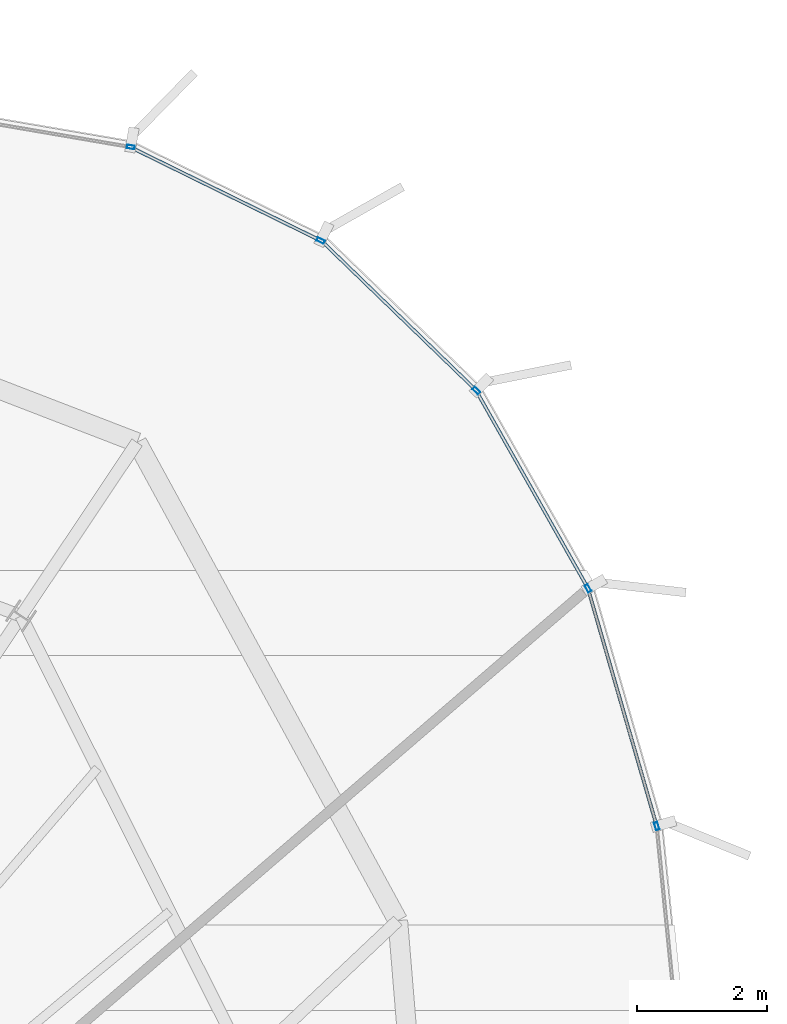
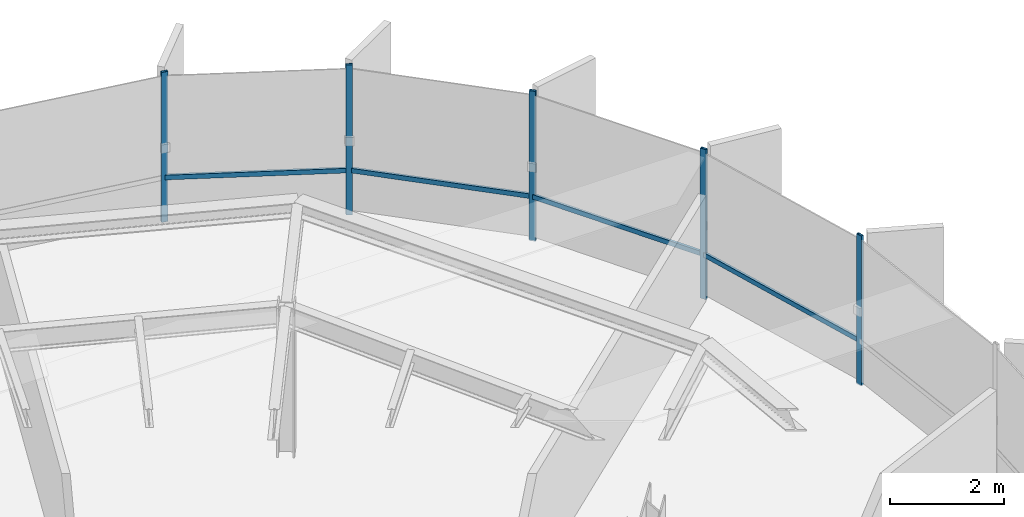
# One storey, part 25 of 33: 9 members, 2 elements without a shape of their own.
"""IFC4 building model written with IfcOpenShell, lengths in metres."""

import ifcopenshell
import ifcopenshell.guid

model = None  # the IFC model being written
_history = None  # IfcOwnerHistory: only IFC2X3 demands one
_inside = {}  # id of a spatial element -> (the spatial element, [elements in it])
_under = {}  # id of a project, library or spatial element -> (it, [spatial elements below it])
_declared = {}  # id of a project -> (the project, [libraries it declares])
_typed = {}  # id of a type object -> (the type object, [elements of that type])
_made_of = {}  # id of a material, layer set ... -> (it, [elements and type objects made of it])


def new_model(schema):
    """Start an empty IFC model of exactly this schema.

    Asked for "IFC4X3", IfcOpenShell would pick the latest addendum, in which some entities
    have other attributes; the version numbers below select the first issue.
    IFC2X3 requires an IfcOwnerHistory on every rooted entity: one is made here for all.
    """
    global model, _history
    if schema == "IFC4X3":
        model = ifcopenshell.file(schema_version=(4, 3, 0, 0))
    else:
        model = ifcopenshell.file(schema=schema)
    _inside.clear()
    _under.clear()
    _declared.clear()
    _typed.clear()
    _made_of.clear()
    _history = None
    if model.schema == "IFC2X3":
        org = make("IfcOrganization", Name="unknown")
        user = make(
            "IfcPersonAndOrganization",
            ThePerson=make("IfcPerson", FamilyName="unknown"),
            TheOrganization=org,
        )
        app = make(
            "IfcApplication",
            ApplicationDeveloper=org,
            Version="unknown",
            ApplicationFullName="unknown",
            ApplicationIdentifier="unknown",
        )
        _history = make(
            "IfcOwnerHistory",
            OwningUser=user,
            OwningApplication=app,
            ChangeAction="ADDED",
            CreationDate=0,
        )
    return model


def make(cls, **values):
    """One entity of the class cls with the attributes given. An attribute that is None is left unset."""
    return model.create_entity(
        cls, **{name: value for name, value in values.items() if value is not None}
    )


def rooted(cls, **values):
    """An entity with a GlobalId (a new one), such as an element, a storey or a relation."""
    return make(cls, GlobalId=ifcopenshell.guid.new(), OwnerHistory=_history, **values)


def si_unit(unit_type, name, prefix=None):
    """IfcSIUnit, for example si_unit("LENGTHUNIT", "METRE", prefix="MILLI")."""
    return make("IfcSIUnit", UnitType=unit_type, Prefix=prefix, Name=name)


def assignment(units):
    """IfcUnitAssignment: the units of a project."""
    return None if units is None else make("IfcUnitAssignment", Units=units)


def point(xyz):
    """IfcCartesianPoint."""
    return None if xyz is None else make("IfcCartesianPoint", Coordinates=xyz)


def direction(xyz):
    """IfcDirection."""
    return None if xyz is None else make("IfcDirection", DirectionRatios=xyz)


def frame(location, z_axis=None, x_axis=None):
    """IfcAxis2Placement3D, a coordinate frame: its origin and axes. An axis left out is left unset."""
    return make(
        "IfcAxis2Placement3D",
        Location=point(location),
        Axis=direction(z_axis),
        RefDirection=direction(x_axis),
    )


def frame_2d(location, x_axis=None):
    """IfcAxis2Placement2D, a coordinate frame in the plane: its origin and x axis."""
    return make(
        "IfcAxis2Placement2D", Location=point(location), RefDirection=direction(x_axis)
    )


def origin():
    """The frame at (0, 0, 0) with its axes left unset."""
    return frame((0.0, 0.0, 0.0))


def origin_2d():
    """The frame at (0, 0) in the plane with its x axis left unset."""
    return frame_2d((0.0, 0.0))


def place(relative_to, where):
    """IfcLocalPlacement: puts the frame where relative to a parent placement (None: the world)."""
    return make(
        "IfcLocalPlacement", PlacementRelTo=relative_to, RelativePlacement=where
    )


def context(
    kind, dimensions, precision=None, world=None, true_north=None, identifier=None
):
    """IfcGeometricRepresentationContext, for example the 3D "Model" context."""
    return make(
        "IfcGeometricRepresentationContext",
        ContextIdentifier=identifier,
        ContextType=kind,
        CoordinateSpaceDimension=dimensions,
        Precision=precision,
        WorldCoordinateSystem=world,
        TrueNorth=true_north,
    )


def subcontext(parent, identifier, kind, view, scale=None):
    """IfcGeometricRepresentationSubContext, for example "Body" below "Model"."""
    return make(
        "IfcGeometricRepresentationSubContext",
        ContextIdentifier=identifier,
        ContextType=kind,
        ParentContext=parent,
        TargetScale=scale,
        TargetView=view,
    )


def project(units=None, contexts=None):
    """IfcProject with its units and contexts."""
    return rooted(
        "IfcProject",
        Name="project",
        RepresentationContexts=contexts,
        UnitsInContext=assignment(units),
    )


def spatial(cls, under=None, at=None, **own):
    """A site, building, storey or space (cls), placed at a placement, below another one or the project."""
    s = rooted(cls, ObjectPlacement=at, **own)
    if under is not None:
        _under.setdefault(under.id(), (under, []))[1].append(s)
    return s


def profile(cls, at=None, kind="AREA", **sizes):
    """A parametric profile (cls). Its sizes go by their IFC names, for example OverallWidth=200.0."""
    return make(cls, ProfileType=kind, Position=at, **sizes)


def hollow_rectangle(**sizes):
    """IfcRectangleHollowProfileDef."""
    return profile("IfcRectangleHollowProfileDef", **sizes)


def extrude(swept, where, along, depth):
    """IfcExtrudedAreaSolid: the profile swept, set in the frame where, extruded along a direction by depth."""
    return make(
        "IfcExtrudedAreaSolid",
        SweptArea=swept,
        Position=where,
        ExtrudedDirection=direction(along),
        Depth=depth,
    )


def shape(context_of_items, identifier, shape_type, items):
    """IfcShapeRepresentation: the items that make up one representation, for example the "Body"."""
    return make(
        "IfcShapeRepresentation",
        ContextOfItems=context_of_items,
        RepresentationIdentifier=identifier,
        RepresentationType=shape_type,
        Items=items,
    )


def source(mapping_origin, context_of_items, identifier, shape_type, items):
    """IfcRepresentationMap: a shape defined once, which mapped items show again and again."""
    return make(
        "IfcRepresentationMap",
        MappingOrigin=mapping_origin,
        MappedRepresentation=shape(context_of_items, identifier, shape_type, items),
    )


def transform(
    local_origin,
    x_axis=None,
    y_axis=None,
    z_axis=None,
    scale=None,
    scale2=None,
    scale3=None,
    uniform=True,
):
    """IfcCartesianTransformationOperator3D, or its non-uniform kind. x_axis, y_axis, z_axis: its Axis1, 2, 3."""
    if uniform:
        return make(
            "IfcCartesianTransformationOperator3D",
            Axis1=direction(x_axis),
            Axis2=direction(y_axis),
            LocalOrigin=point(local_origin),
            Scale=scale,
            Axis3=direction(z_axis),
        )
    return make(
        "IfcCartesianTransformationOperator3DnonUniform",
        Axis1=direction(x_axis),
        Axis2=direction(y_axis),
        LocalOrigin=point(local_origin),
        Scale=scale,
        Axis3=direction(z_axis),
        Scale2=scale2,
        Scale3=scale3,
    )


def mapped(mapping_source, mapping_target):
    """IfcMappedItem: shows the shape of a source again, moved by a transform."""
    return make(
        "IfcMappedItem", MappingSource=mapping_source, MappingTarget=mapping_target
    )


def material(Name=None, Category=None):
    """IfcMaterial."""
    return make("IfcMaterial", Name=Name, Category=Category)


def layer(
    of_material, thickness, ventilated=None, Name=None, Category=None, Priority=None
):
    """IfcMaterialLayer: one layer of a wall or slab, of a material (None: an air gap)."""
    return make(
        "IfcMaterialLayer",
        Material=of_material,
        LayerThickness=thickness,
        IsVentilated=ventilated,
        Name=Name,
        Category=Category,
        Priority=Priority,
    )


def layer_set(layers, Name=None):
    """IfcMaterialLayerSet."""
    return make("IfcMaterialLayerSet", MaterialLayers=layers, LayerSetName=Name)


def material_profile(
    of_material, cross_section, Name=None, Category=None, Priority=None
):
    """IfcMaterialProfile: a cross section and its material."""
    return make(
        "IfcMaterialProfile",
        Name=Name,
        Material=of_material,
        Profile=cross_section,
        Priority=Priority,
        Category=Category,
    )


def profile_set(profiles, Name=None, composite=None):
    """IfcMaterialProfileSet."""
    return make(
        "IfcMaterialProfileSet",
        Name=Name,
        MaterialProfiles=profiles,
        CompositeProfile=composite,
    )


def made_of(thing, what):
    """Note that an element or type object is made of a material, layer set ...; save() writes the relation."""
    if what is not None:
        _made_of.setdefault(what.id(), (what, []))[1].append(thing)
    return thing


def type_object(cls, material=None, **own):
    """A type object (cls), such as IfcWallType, which elements share."""
    return made_of(rooted(cls, **own), material)


def element(
    cls,
    number,
    at=None,
    inside=None,
    cuts=None,
    type_object=None,
    material=None,
    context=None,
    identifier="Body",
    shape_type=None,
    held_by="IfcProductDefinitionShape",
    body=None,
    shapes=None,
    **own,
):
    """One element of the class cls, such as IfcWall. Its Tag is "e" and its number.

    at: its placement. inside: the storey or other place that contains it. cuts: it is an
    opening in that element (IfcRelVoidsElement). A single representation is given by context,
    identifier, shape_type and body (its items); several are given by shapes. held_by: the class
    of the entity that holds the representations. save() writes the other relations.
    """
    e = rooted(cls, Tag="e%d" % number, ObjectPlacement=at, **own)
    if body is not None:
        shapes = [shape(context, identifier, shape_type, body)]
    if shapes is not None:
        e.Representation = make(held_by, Representations=shapes)
    if inside is not None:
        _inside.setdefault(inside.id(), (inside, []))[1].append(e)
    if cuts is not None:
        rooted(
            "IfcRelVoidsElement", RelatingBuildingElement=cuts, RelatedOpeningElement=e
        )
    if type_object is not None:
        _typed.setdefault(type_object.id(), (type_object, []))[1].append(e)
    return made_of(e, material)


def aggregate(whole, parts):
    """IfcRelAggregates: a whole, such as a stair, and the parts it consists of."""
    return rooted("IfcRelAggregates", RelatingObject=whole, RelatedObjects=parts)


def save(model, path):
    """Write the relations noted so far, then the file.

    IfcRelAggregates (storeys below a building ...), IfcRelContainedInSpatialStructure (elements
    in a storey), IfcRelDefinesByType, IfcRelAssociatesMaterial and IfcRelDeclares: one each for
    every whole, place, type object, material and project.
    """
    for whole, parts in _under.values():
        aggregate(whole, parts)
    for where, things in _inside.values():
        rooted(
            "IfcRelContainedInSpatialStructure",
            RelatedElements=things,
            RelatingStructure=where,
        )
    for kind, things in _typed.values():
        rooted("IfcRelDefinesByType", RelatedObjects=things, RelatingType=kind)
    for what, things in _made_of.values():
        rooted("IfcRelAssociatesMaterial", RelatedObjects=things, RelatingMaterial=what)
    for by, libraries in _declared.values():
        rooted("IfcRelDeclares", RelatingContext=by, RelatedDefinitions=libraries)
    model.write(path)


model = new_model("IFC4")

# Units and contexts
model_context = context("Model", 3, precision=1e-05, world=origin(), true_north=direction((0.0, 1.0)))
body_context = subcontext(model_context, "Body", "Model", "MODEL_VIEW")
ifc_project = project(units=[si_unit("LENGTHUNIT", "METRE"), si_unit("AREAUNIT", "SQUARE_METRE"), si_unit("VOLUMEUNIT", "CUBIC_METRE"), si_unit("PLANEANGLEUNIT", "RADIAN"), si_unit("MASSUNIT", "GRAM", prefix="KILO"), si_unit("THERMODYNAMICTEMPERATUREUNIT", "KELVIN")], contexts=[model_context])

# Site, building, storey
site_placement = place(None, origin())
site = spatial("IfcSite", under=ifc_project, at=site_placement, CompositionType="ELEMENT")
building_placement = place(site_placement, origin())
building = spatial("IfcBuilding", under=site, at=building_placement, Name="Kethvar Cultural Tower", CompositionType="ELEMENT")
storey_placement = place(building_placement, frame((0.0, 0.0, 256.0)))
storey = spatial("IfcBuildingStorey", under=building, at=storey_placement, Name="L67", CompositionType="ELEMENT", Elevation=256.0)

# Curtain wall, members
ifc_material = material(Name="Aluminium 6063-T6", Category="aluminium")
ifc_layer = layer(ifc_material, 0.179931640625, Name="Aluminium 6063-T6", Category="aluminium")
ifc_layer_set = layer_set([ifc_layer], Name="Aluminium 6063-T6 (180 mm)")
curtain_wall_type = type_object("IfcCurtainWallType", Name="CW-SYS-05-Z56", PredefinedType="NOTDEFINED", material=ifc_layer_set)
curtain_wall_1_placement = place(storey_placement, origin())
curtain_wall_1 = element("IfcCurtainWall", 1, at=curtain_wall_1_placement, inside=storey, type_object=curtain_wall_type, Name="L67 Curtain Wall Run 01", PredefinedType="NOTDEFINED")
ifc_material_profile_1 = material_profile(ifc_material, hollow_rectangle(XDim=0.054931640625, YDim=0.1201171875, WallThickness=0.00390625, at=origin_2d()), Name="Aluminium 6063-T6 — RHS120x55x4")
ifc_profile_set_1 = profile_set([ifc_material_profile_1], Name="Aluminium 6063-T6 — RHS120x55x4")
member_type_1 = type_object("IfcMemberType", Name="CW-SYS-05-Z56-MUL", PredefinedType="MULLION", material=ifc_profile_set_1)
shared_shape_1 = source(origin(), body_context, "Body", "SweptSolid", [
    extrude(hollow_rectangle(XDim=0.054931640625, YDim=0.1201171875, WallThickness=0.00390625, at=origin_2d()), origin(), (0.0, 0.0, 1.0), 3.2099609375),
])
member_1_placement = place(storey_placement, frame((62.469970703125, 50.130615234375, 0.0), z_axis=(0.0, 0.0, 1.0), x_axis=(-0.440942001619, -0.897535598853, 0.0)))
member_1 = element("IfcMember", 2, at=member_1_placement, type_object=member_type_1, Name="CW-L67-R01 Mullion 1", PredefinedType="MULLION", context=body_context, shape_type="MappedRepresentation", body=[
    mapped(shared_shape_1, transform((0.0, 0.0, 0.0), scale=1.0)),
])
member_2_placement = place(storey_placement, frame((59.556640625, 51.56640625, 0.0), z_axis=(0.0, 0.0, 1.0), x_axis=(-0.168764633328, -0.985656379545, 0.0)))
member_2 = element("IfcMember", 3, at=member_2_placement, type_object=member_type_1, Name="CW-L67-R01 Mullion 2", PredefinedType="MULLION", context=body_context, shape_type="MappedRepresentation", body=[
    mapped(shared_shape_1, transform((0.0, 0.0, 0.0), scale=1.0)),
])

curtain_wall_2_placement = place(storey_placement, origin())
curtain_wall_2 = element("IfcCurtainWall", 4, at=curtain_wall_2_placement, inside=storey, type_object=curtain_wall_type, Name="L67 Curtain Wall Run 06", PredefinedType="NOTDEFINED")
member_3_placement = place(storey_placement, frame((67.623046875, 41.15283203125, 0.0), z_axis=(0.0, 0.0, 1.0), x_axis=(-0.960502795696, -0.278270335214, 0.0)))
member_3 = element("IfcMember", 5, at=member_3_placement, type_object=member_type_1, Name="CW-L67-R06 Mullion 4", PredefinedType="MULLION", context=body_context, shape_type="MappedRepresentation", body=[
    mapped(shared_shape_1, transform((0.0, 0.0, 0.0), scale=1.0)),
])
member_4_placement = place(storey_placement, frame((66.5703125, 44.797119140625, 0.0), z_axis=(0.0, 0.0, 1.0), x_axis=(-0.870235348185, -0.492636213417, 0.0)))
member_4 = element("IfcMember", 6, at=member_4_placement, type_object=member_type_1, Name="CW-L67-R06 Mullion 5", PredefinedType="MULLION", context=body_context, shape_type="MappedRepresentation", body=[
    mapped(shared_shape_1, transform((0.0, 0.0, 0.0), scale=1.0)),
])
member_5_placement = place(storey_placement, frame((64.85791015625, 47.830322265625, 0.0), z_axis=(0.0, 0.0, 1.0), x_axis=(-0.695110207836, -0.718903191649, 0.0)))
member_5 = element("IfcMember", 7, at=member_5_placement, type_object=member_type_1, Name="CW-L67-R06 Mullion 6", PredefinedType="MULLION", context=body_context, shape_type="MappedRepresentation", body=[
    mapped(shared_shape_1, transform((0.0, 0.0, 0.0), scale=1.0)),
])

# Member
ifc_material_profile_2 = material_profile(ifc_material, hollow_rectangle(XDim=0.050048828125, YDim=0.10009765625, WallThickness=0.00390625, at=origin_2d()), Name="Aluminium 6063-T6 — RHS100x50x4")
ifc_profile_set_2 = profile_set([ifc_material_profile_2], Name="Aluminium 6063-T6 — RHS100x50x4")
member_type_2 = type_object("IfcMemberType", Name="CW-SYS-05-Z56-TRN", PredefinedType="USERDEFINED", material=ifc_profile_set_2)
shared_shape_2 = source(origin(), body_context, "Body", "SweptSolid", [
    extrude(hollow_rectangle(XDim=0.050048828125, YDim=0.10009765625, WallThickness=0.00390625, at=origin_2d()), origin(), (0.0, 0.0, 1.0), 3.23291015625),
])
member_6_placement = place(storey_placement, frame((62.466552734375, 50.13232421875, 0.949951171875), z_axis=(-0.897531780333, 0.440949774116, 0.0), x_axis=(-0.440949774116, -0.897531780333, 0.0)))
member_6 = element("IfcMember", 8, at=member_6_placement, type_object=member_type_2, Name="CW-L67-R01 Transom 1", ObjectType="TRANSOM", PredefinedType="USERDEFINED", context=body_context, shape_type="MappedRepresentation", body=[
    mapped(shared_shape_2, transform((0.0, 0.0, 0.0), scale=1.0)),
])

aggregate(curtain_wall_1, [member_1, member_2, member_6])

member_7_placement = place(storey_placement, frame((64.829345703125, 47.85791015625, 0.949951171875), z_axis=(-0.718900320353, 0.695113177401, 0.0), x_axis=(-0.695113177401, -0.718900320353, 0.0)))
member_7 = element("IfcMember", 9, at=member_7_placement, type_object=member_type_2, Name="CW-L67-R06 Transom 6", ObjectType="TRANSOM", PredefinedType="USERDEFINED", context=body_context, shape_type="MappedRepresentation", body=[
    mapped(shared_shape_2, transform((0.0, 0.0, 0.0), scale=1.0)),
])

shared_shape_3 = source(origin(), body_context, "Body", "SweptSolid", [
    extrude(hollow_rectangle(XDim=0.050048828125, YDim=0.10009765625, WallThickness=0.00390625, at=origin_2d()), origin(), (0.0, 0.0, 1.0), 3.737060546875),
])
member_8_placement = place(storey_placement, frame((67.612060546875, 41.19091796875, 0.949951171875), z_axis=(-0.278230971476, 0.960514199016, 0.0), x_axis=(-0.960514199016, -0.278230971476, 0.0)))
member_8 = element("IfcMember", 10, at=member_8_placement, type_object=member_type_2, Name="CW-L67-R06 Transom 4", ObjectType="TRANSOM", PredefinedType="USERDEFINED", context=body_context, shape_type="MappedRepresentation", body=[
    mapped(shared_shape_3, transform((0.0, 0.0, 0.0), scale=1.0)),
])

shared_shape_4 = source(origin(), body_context, "Body", "SweptSolid", [
    extrude(hollow_rectangle(XDim=0.050048828125, YDim=0.10009765625, WallThickness=0.00390625, at=origin_2d()), origin(), (0.0, 0.0, 1.0), 3.43212890625),
])
member_9_placement = place(storey_placement, frame((66.55078125, 44.831787109375, 0.949951171875), z_axis=(-0.492657172189, 0.870223483188, 0.0), x_axis=(-0.870223483188, -0.492657172189, 0.0)))
member_9 = element("IfcMember", 11, at=member_9_placement, type_object=member_type_2, Name="CW-L67-R06 Transom 5", ObjectType="TRANSOM", PredefinedType="USERDEFINED", context=body_context, shape_type="MappedRepresentation", body=[
    mapped(shared_shape_4, transform((0.0, 0.0, 0.0), scale=1.0)),
])

aggregate(curtain_wall_2, [member_3, member_4, member_5, member_8, member_9, member_7])

save(model, "model.ifc")
